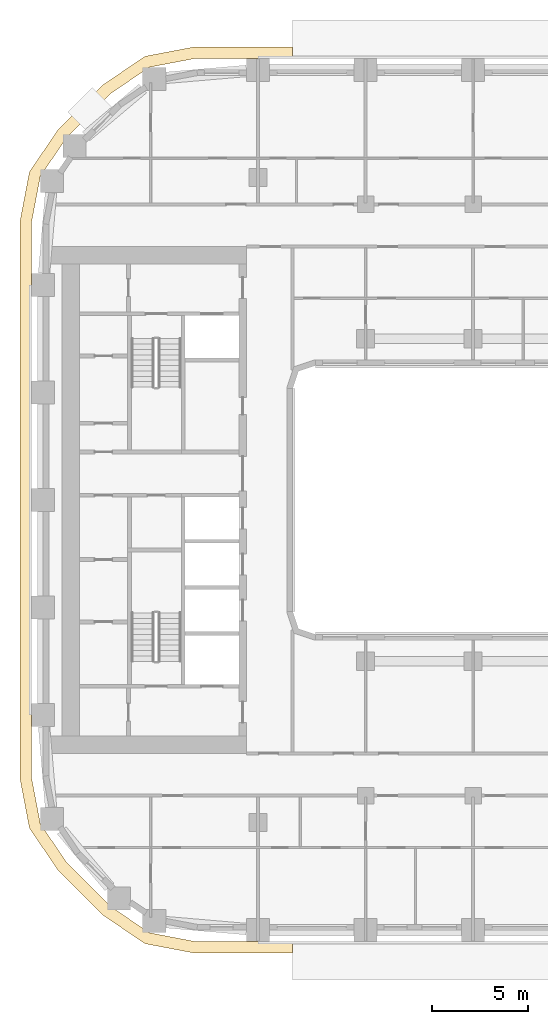
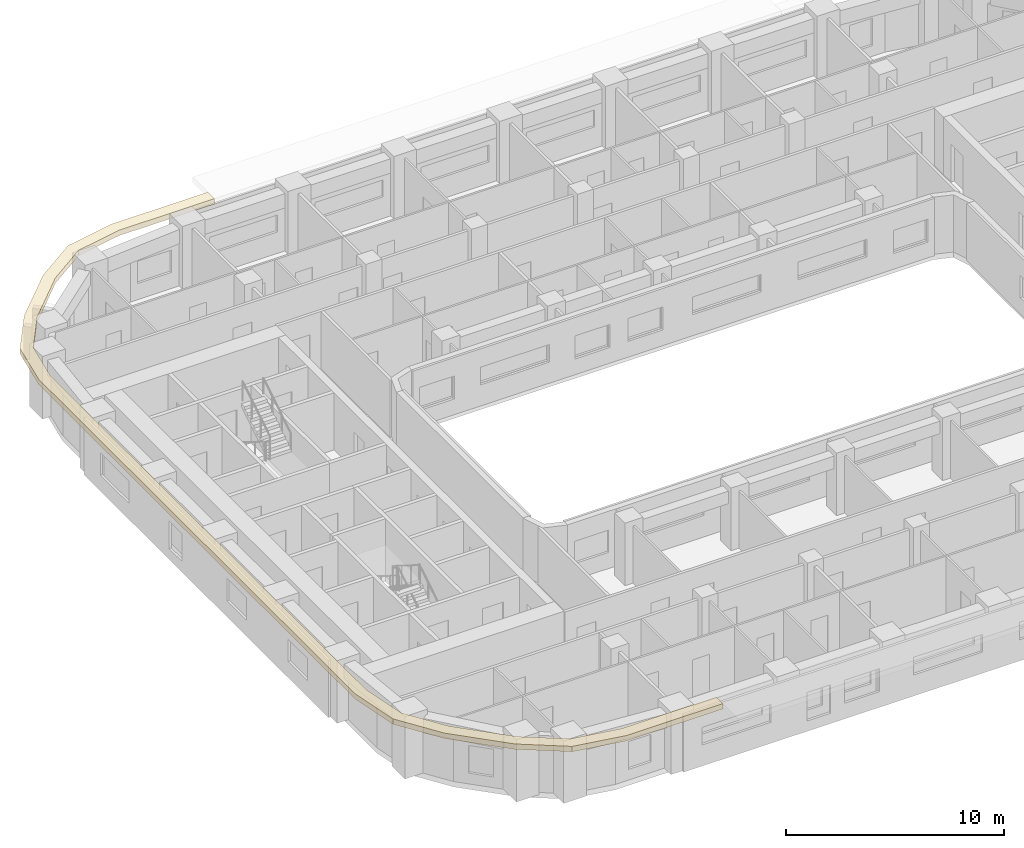
# One storey, part 14 of 22: 1 covering.
"""IFC4 building model written with IfcOpenShell, lengths in metres."""

from ifc_helpers import new_model, si_unit, direction, frame, origin, place, context, subcontext, project, spatial, polyline, outline, extrude, material, layer, layer_set, type_object, element, save


model = new_model("IFC4")

# Units and contexts
model_context = context("Model", 3, precision=1e-05, world=origin(), true_north=direction((0.0, 1.0)))
body_context = subcontext(model_context, "Body", "Model", "MODEL_VIEW")
ifc_project = project(units=[si_unit("LENGTHUNIT", "METRE"), si_unit("AREAUNIT", "SQUARE_METRE"), si_unit("VOLUMEUNIT", "CUBIC_METRE"), si_unit("PLANEANGLEUNIT", "RADIAN"), si_unit("MASSUNIT", "GRAM", prefix="KILO")], contexts=[model_context])

# Site, building, storey
site_placement = place(None, origin())
site = spatial("IfcSite", under=ifc_project, at=site_placement, CompositionType="ELEMENT")
building_placement = place(site_placement, origin())
building = spatial("IfcBuilding", under=site, at=building_placement, Name="Kiln Ring Residences", CompositionType="ELEMENT")
storey_placement = place(building_placement, frame((0.0, 0.0, 111.300048828125)))
storey = spatial("IfcBuildingStorey", under=building, at=storey_placement, Name="L28", CompositionType="ELEMENT", Elevation=111.300048828125)

# Covering
ifc_material = material(Name="Black powder-coated steel", Category="steel")
ifc_layer = layer(ifc_material, 0.300048828125)
ifc_layer_set = layer_set([ifc_layer], Name="SUNSHADE FIN 600")
covering_type = type_object("IfcCoveringType", Name="SUNSHADE FIN 600", PredefinedType="CLADDING", material=ifc_layer_set)
covering_placement = place(storey_placement, frame((0.0, 0.0, 3.199951171875)))
element("IfcCovering", 1, at=covering_placement, inside=storey, type_object=covering_type, Name="SUNSHADE FIN L28", PredefinedType="CLADDING", context=body_context, shape_type="SweptSolid", body=[
    extrude(outline(polyline([(-29.199951171875, -14.513427734375), (-28.7080078125, -17.09326171875), (-27.231689453125, -19.265380859375), (-24.865478515625, -21.631591796875), (-22.693115234375, -23.10791015625), (-20.11328125, -23.60009765625), (-15.0, -23.60009765625), (-15.0, -23.0), (-20.056640625, -23.0), (-22.458740234375, -22.541748046875), (-24.481201171875, -21.167236328125), (-26.767333984375, -18.881103515625), (-28.141845703125, -16.858642578125), (-28.60009765625, -14.456787109375), (-28.60009765625, 14.456787109375), (-28.141845703125, 16.858642578125), (-26.767333984375, 18.881103515625), (-24.481201171875, 21.167236328125), (-22.458740234375, 22.541748046875), (-20.056640625, 23.0), (-15.0, 23.0), (-15.0, 23.60009765625), (-20.11328125, 23.60009765625), (-22.693115234375, 23.10791015625), (-24.865478515625, 21.631591796875), (-27.231689453125, 19.265380859375), (-28.7080078125, 17.09326171875), (-29.199951171875, 14.513427734375), (-29.199951171875, -14.513427734375)])), origin(), (0.0, 0.0, 1.0), 0.300048828125),
])

save(model, "model.ifc")
